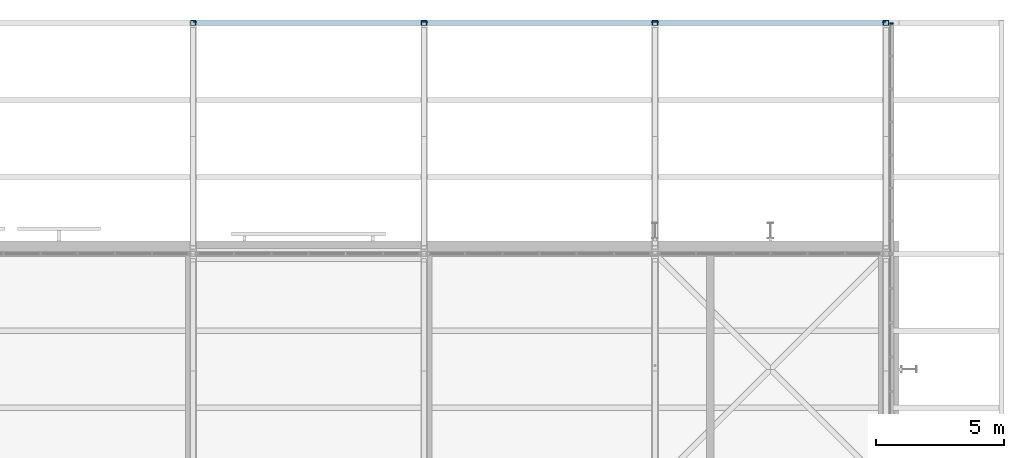
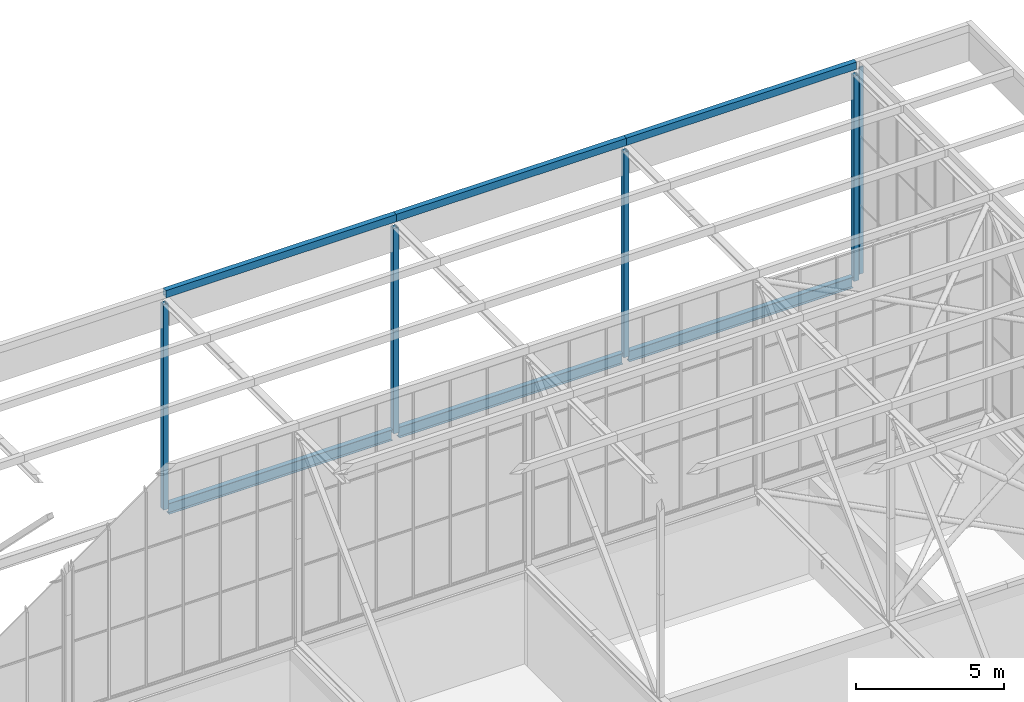
# One storey, part 135 of 646: 12 members, 3 beams, 1 element without a shape of its own.
"""IFC4 building model written with IfcOpenShell, lengths in metres."""

from ifc_helpers import new_model, si_unit, direction, frame, origin, origin_2d, place, context, subcontext, project, spatial, rectangle, hollow_rectangle, i_section, extrude, material, material_profile, profile_set, type_object, element, aggregate, save


model = new_model("IFC4")

# Units and contexts
model_context = context("Model", 3, precision=1e-05, world=origin(), true_north=direction((0.0, 1.0)))
body_context = subcontext(model_context, "Body", "Model", "MODEL_VIEW")
ifc_project = project(units=[si_unit("LENGTHUNIT", "METRE"), si_unit("AREAUNIT", "SQUARE_METRE"), si_unit("VOLUMEUNIT", "CUBIC_METRE"), si_unit("PLANEANGLEUNIT", "RADIAN"), si_unit("MASSUNIT", "GRAM", prefix="KILO")], contexts=[model_context])

# Site, building, storey
site_placement = place(None, origin())
site = spatial("IfcSite", under=ifc_project, at=site_placement, CompositionType="ELEMENT")
building_placement = place(site_placement, origin())
building = spatial("IfcBuilding", under=site, at=building_placement, Name="Silverbay Arena", CompositionType="ELEMENT")
storey_placement = place(building_placement, frame((0.0, 0.0, 33.5)))
storey = spatial("IfcBuildingStorey", under=building, at=storey_placement, Name="L05", CompositionType="ELEMENT", Elevation=33.5)

# Members
ifc_material_1 = material(Name="Steel S355", Category="steel")
ifc_material_profile_1 = material_profile(ifc_material_1, hollow_rectangle(XDim=0.199951171875, YDim=0.199951171875, WallThickness=0.008056640625, at=origin_2d()), Name="SHS 200x200x8")
ifc_profile_set_1 = profile_set([ifc_material_profile_1], Name="Steel S355")
member_type_1 = type_object("IfcMemberType", Name="Long-span truss vertical SHS 200x200x8", PredefinedType="STRUT", material=ifc_profile_set_1)
for number, where, z_axis, x_axis, name in (
    (1, (180.0, 153.0, 4.254150390625), (0.0, 0.0, 1.0), (1.0, 0.0, 0.0), "ROOF TRUSS 21 vertical 17a"),
    (2, (180.0, 153.0, 8.5), (0.0, 0.0, 1.0), (1.0, 0.0, 0.0), "ROOF TRUSS 21 vertical 17b"),
):
    element("IfcMember", number, at=place(storey_placement, frame(where, z_axis=z_axis, x_axis=x_axis)), inside=storey, type_object=member_type_1, Name=name, PredefinedType="STRUT", context=body_context, shape_type="SweptSolid", body=[
        extrude(hollow_rectangle(XDim=0.199951171875, YDim=0.199951171875, WallThickness=0.008056640625, at=origin_2d()), origin(), (0.0, 0.0, 1.0), 4.245849609375),
    ])
ifc_material_2 = material(Name="Steel S355", Category="steel")
ifc_material_profile_2 = material_profile(ifc_material_2, hollow_rectangle(XDim=0.199951171875, YDim=0.199951171875, WallThickness=0.008056640625, at=origin_2d()), Name="SHS 200x200x8")
ifc_profile_set_2 = profile_set([ifc_material_profile_2], Name="Steel S355")
member_type_2 = type_object("IfcMemberType", Name="Medium-span truss vertical SHS 200x200x8", PredefinedType="STRUT", material=ifc_profile_set_2)
for number, where, z_axis, x_axis, name in (
    (3, (189.0, 153.0, 4.254150390625), (0.0, 0.0, 1.0), (1.0, 0.0, 0.0), "ROOF TRUSS 22 vertical 17a"),
    (4, (189.0, 153.0, 8.5), (0.0, 0.0, 1.0), (1.0, 0.0, 0.0), "ROOF TRUSS 22 vertical 17b"),
):
    element("IfcMember", number, at=place(storey_placement, frame(where, z_axis=z_axis, x_axis=x_axis)), inside=storey, type_object=member_type_2, Name=name, PredefinedType="STRUT", context=body_context, shape_type="SweptSolid", body=[
        extrude(hollow_rectangle(XDim=0.199951171875, YDim=0.199951171875, WallThickness=0.008056640625, at=origin_2d()), origin(), (0.0, 0.0, 1.0), 4.245849609375),
    ])

# Curtain wall, member
ifc_material_3 = material(Name="Aluminium framed glazing", Category="aluminium")
curtain_wall_type = type_object("IfcCurtainWallType", Name="Curtain wall clerestory 9000 x 8547", PredefinedType="NOTDEFINED", material=ifc_material_3)
curtain_wall_placement = place(storey_placement, origin())
curtain_wall = element("IfcCurtainWall", 5, at=curtain_wall_placement, inside=storey, type_object=curtain_wall_type, Name="ROOF GABLE CLERESTORY CURTAIN WALL east bay 16", PredefinedType="NOTDEFINED")
ifc_material_4 = material(Name="Aluminium", Category="aluminium")
ifc_material_profile_3 = material_profile(ifc_material_4, rectangle(XDim=0.159912109375, YDim=0.06005859375, at=origin_2d()), Name="Mullion 60 x 160")
ifc_profile_set_3 = profile_set([ifc_material_profile_3], Name="Aluminium")
member_type_3 = type_object("IfcMemberType", Name="Mullion 60 x 160", PredefinedType="MULLION", material=ifc_profile_set_3)
member_placement = place(storey_placement, frame((207.2099609375, 152.969970703125, 4.453369140625), z_axis=(0.0, 0.0, 1.0), x_axis=(-1.0, 0.0, 0.0)))
member = element("IfcMember", 6, at=member_placement, type_object=member_type_3, Name="CW57 mullion 8", PredefinedType="MULLION", context=body_context, shape_type="SweptSolid", body=[
    extrude(rectangle(XDim=0.159912109375, YDim=0.06005859375, at=origin_2d()), origin(), (0.0, 0.0, 1.0), 8.546630859375),
])
aggregate(curtain_wall, [member])

# Members
ifc_material_5 = material(Name="Steel S355", Category="steel")
ifc_material_profile_4 = material_profile(ifc_material_5, hollow_rectangle(XDim=0.199951171875, YDim=0.300048828125, WallThickness=0.008056640625, at=origin_2d()), Name="RHS 300x200x8")
ifc_profile_set_4 = profile_set([ifc_material_profile_4], Name="Steel S355")
member_type_4 = type_object("IfcMemberType", Name="Purlin RHS 300x200x8", PredefinedType="PURLIN", material=ifc_profile_set_4)
for number, where, z_axis, x_axis, name in (
    (7, (180.0, 153.0, 13.14990234375), (1.0, 0.0, 0.0), (0.0, 1.0, 0.0), "ROOF PURLIN 21-22 line 49"),
    (8, (189.0, 153.0, 13.14990234375), (1.0, 0.0, 0.0), (0.0, 1.0, 0.0), "ROOF PURLIN 22-23 line 49"),
    (9, (198.0, 153.0, 13.14990234375), (1.0, 0.0, 0.0), (0.0, 1.0, 0.0), "ROOF PURLIN 23-24 line 49"),
):
    element("IfcMember", number, at=place(storey_placement, frame(where, z_axis=z_axis, x_axis=x_axis)), inside=storey, type_object=member_type_4, Name=name, PredefinedType="PURLIN", context=body_context, shape_type="SweptSolid", body=[
        extrude(hollow_rectangle(XDim=0.199951171875, YDim=0.300048828125, WallThickness=0.008056640625, at=origin_2d()), origin(), (0.0, 0.0, 1.0), 9.0),
    ])

# Beams
ifc_material_6 = material(Name="Steel S355", Category="steel")
ifc_material_profile_5 = material_profile(ifc_material_6, i_section(OverallWidth=0.18994140625, OverallDepth=0.453369140625, WebThickness=0.008544921875, FlangeThickness=0.0126953125, at=origin_2d()), Name="UB 457x191x67")
ifc_profile_set_5 = profile_set([ifc_material_profile_5], Name="Steel S355")
beam_type = type_object("IfcBeamType", Name="Ring beam UB 457x191x67", PredefinedType="BEAM", material=ifc_profile_set_5)
for number, where, z_axis, x_axis, name in (
    (10, (180.127197265625, 153.0, 4.226806640625), (1.0, 0.0, 0.0), (0.0, 1.0, 0.0), "RING BEAM north edge 21-22"),
    (11, (189.127197265625, 153.0, 4.226806640625), (1.0, 0.0, 0.0), (0.0, 1.0, 0.0), "RING BEAM north edge 22-23"),
    (12, (198.127197265625, 153.0, 4.226806640625), (1.0, 0.0, 0.0), (0.0, 1.0, 0.0), "RING BEAM north edge 23-24"),
):
    element("IfcBeam", number, at=place(storey_placement, frame(where, z_axis=z_axis, x_axis=x_axis)), inside=storey, type_object=beam_type, Name=name, PredefinedType="BEAM", context=body_context, shape_type="SweptSolid", body=[
        extrude(i_section(OverallWidth=0.18994140625, OverallDepth=0.453369140625, WebThickness=0.008544921875, FlangeThickness=0.0126953125, at=origin_2d()), origin(), (0.0, 0.0, 1.0), 8.74560546875),
    ])

# Members
ifc_material_7 = material(Name="Steel S355", Category="steel")
ifc_material_profile_6 = material_profile(ifc_material_7, hollow_rectangle(XDim=0.199951171875, YDim=0.199951171875, WallThickness=0.008056640625, at=origin_2d()), Name="SHS 200x200x8")
ifc_profile_set_6 = profile_set([ifc_material_profile_6], Name="Steel S355")
member_type_5 = type_object("IfcMemberType", Name="Short-span truss vertical SHS 200x200x8", PredefinedType="STRUT", material=ifc_profile_set_6)
for number, where, z_axis, x_axis, name in (
    (13, (198.0, 153.0, 4.254150390625), (0.0, 0.0, 1.0), (1.0, 0.0, 0.0), "ROOF TRUSS 23 vertical 17a"),
    (14, (198.0, 153.0, 8.5), (0.0, 0.0, 1.0), (1.0, 0.0, 0.0), "ROOF TRUSS 23 vertical 17b"),
    (15, (207.0, 153.0, 4.254150390625), (0.0, 0.0, 1.0), (1.0, 0.0, 0.0), "ROOF TRUSS 24 vertical 17a"),
    (16, (207.0, 153.0, 8.5), (0.0, 0.0, 1.0), (1.0, 0.0, 0.0), "ROOF TRUSS 24 vertical 17b"),
):
    element("IfcMember", number, at=place(storey_placement, frame(where, z_axis=z_axis, x_axis=x_axis)), inside=storey, type_object=member_type_5, Name=name, PredefinedType="STRUT", context=body_context, shape_type="SweptSolid", body=[
        extrude(hollow_rectangle(XDim=0.199951171875, YDim=0.199951171875, WallThickness=0.008056640625, at=origin_2d()), origin(), (0.0, 0.0, 1.0), 4.245849609375),
    ])

save(model, "model.ifc")
